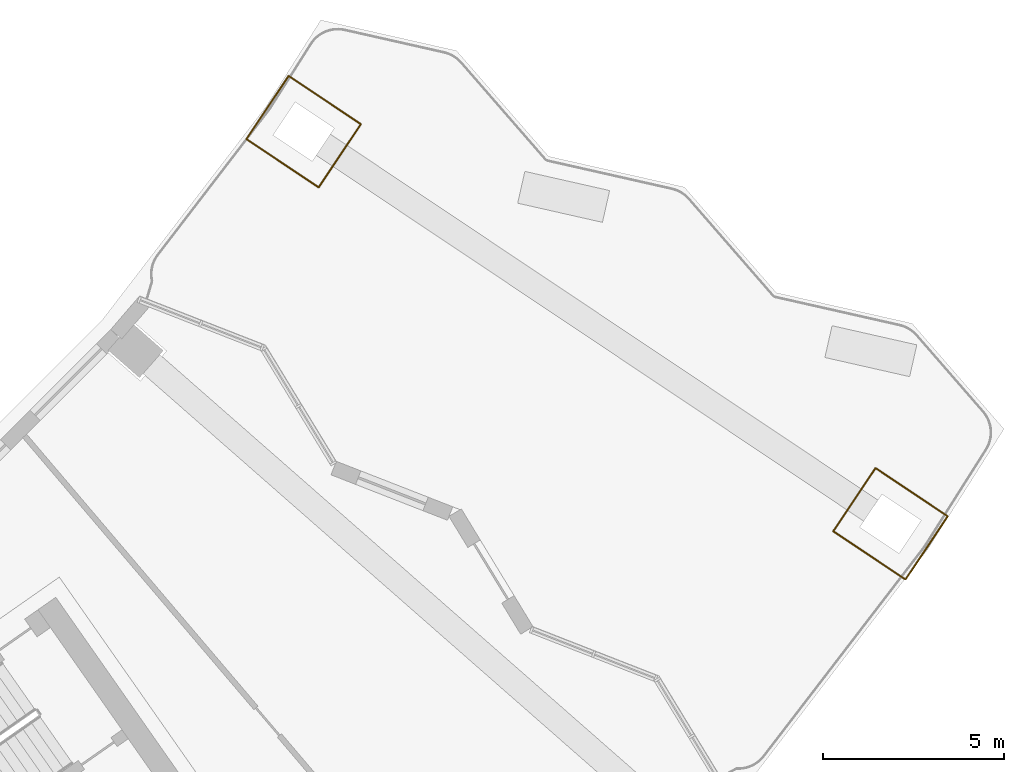
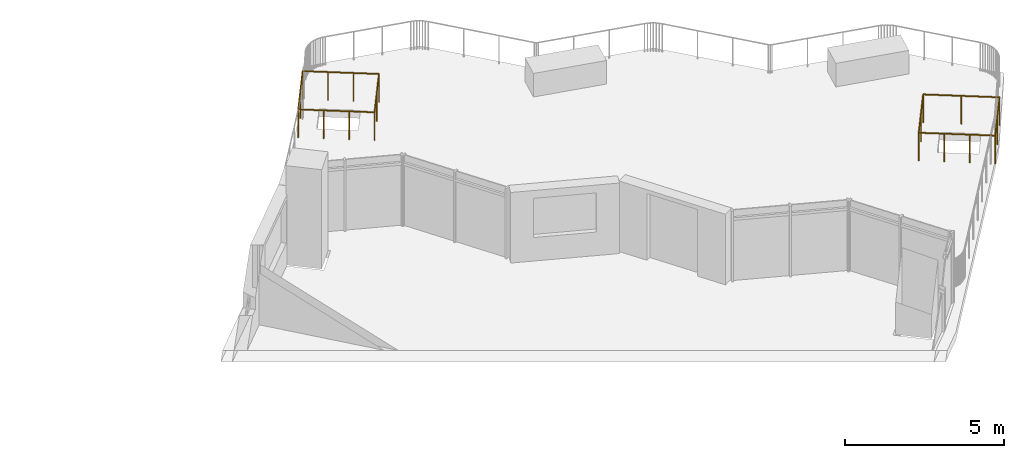
# One storey, part 29 of 30: 2 railings.
"""IFC4 building model written with IfcOpenShell, lengths in metres."""

from ifc_helpers import new_model, si_unit, direction, frame, origin, origin_2d, place, context, subcontext, project, spatial, circle, extrude, material, type_object, element, save


model = new_model("IFC4")

# Units and contexts
model_context = context("Model", 3, precision=1e-05, world=origin(), true_north=direction((0.0, 1.0)))
body_context = subcontext(model_context, "Body", "Model", "MODEL_VIEW")
ifc_project = project(units=[si_unit("LENGTHUNIT", "METRE"), si_unit("AREAUNIT", "SQUARE_METRE"), si_unit("VOLUMEUNIT", "CUBIC_METRE"), si_unit("PLANEANGLEUNIT", "RADIAN"), si_unit("MASSUNIT", "GRAM", prefix="KILO")], contexts=[model_context])

# Site, building, storey
site_placement = place(None, origin())
site = spatial("IfcSite", under=ifc_project, at=site_placement, CompositionType="ELEMENT")
building_placement = place(site_placement, origin())
building = spatial("IfcBuilding", under=site, at=building_placement, Name="Qamariyya Broadcast Tower", CompositionType="ELEMENT")
storey_placement = place(building_placement, frame((0.0, 0.0, 203.699951171875)))
storey = spatial("IfcBuildingStorey", under=building, at=storey_placement, Name="L48", CompositionType="ELEMENT", Elevation=203.699951171875)

# Railings
ifc_material = material(Name="Stainless steel 316 with toughened glass infill", Category="steel")
railing_type = type_object("IfcRailingType", Name="Terrace guard, glass and stainless steel", PredefinedType="GUARDRAIL", material=ifc_material)
railing_1_placement = place(storey_placement, frame((50.01416015625, -32.15576171875, 0.0)))
element("IfcRailing", 1, at=railing_1_placement, inside=storey, type_object=railing_type, Name="e-r-L48-t3-pyl4", PredefinedType="GUARDRAIL", context=body_context, shape_type="SweptSolid", body=[
    extrude(circle(Radius=0.02392578125, at=origin_2d()), frame((0.0, 0.0, 1.076171875), z_axis=(-0.555638920737, -0.831423712533, 0.0), x_axis=(0.831423712533, -0.555638920737, 0.0)), (0.0, 0.0, 1.0), 2.099853515625),
    extrude(circle(Radius=0.02392578125, at=origin_2d()), frame((-1.166748046875, -1.745849609375, 1.076171875), z_axis=(-0.831502137361, 0.555521552744, 0.0), x_axis=(-0.555521552744, -0.831502137361, 0.0)), (0.0, 0.0, 1.0), 2.39990234375),
    extrude(circle(Radius=0.02392578125, at=origin_2d()), frame((-3.162353515625, -0.41259765625, 1.076171875), z_axis=(0.555585212848, 0.831459602906, 0.0), x_axis=(-0.831459602906, 0.555585212848, 0.0)), (0.0, 0.0, 1.0), 2.10009765625),
    extrude(circle(Radius=0.02392578125, at=origin_2d()), frame((-1.99560546875, 1.33349609375, 1.076171875), z_axis=(0.831455148387, -0.555591879189, 0.0), x_axis=(0.555591879189, 0.831455148387, 0.0)), (0.0, 0.0, 1.0), 2.400146484375),
    extrude(circle(Radius=0.02099609375, at=origin_2d()), origin(), (0.0, 0.0, 1.0), 1.052001953125),
    extrude(circle(Radius=0.02099609375, at=origin_2d()), frame((-0.58349609375, -0.873046875, 0.0)), (0.0, 0.0, 1.0), 1.052001953125),
    extrude(circle(Radius=0.02099609375, at=origin_2d()), frame((-1.166748046875, -1.745849609375, 0.0)), (0.0, 0.0, 1.0), 1.052001953125),
    extrude(circle(Radius=0.02099609375, at=origin_2d()), frame((-1.83203125, -1.301513671875, 0.0)), (0.0, 0.0, 1.0), 1.052001953125),
    extrude(circle(Radius=0.02099609375, at=origin_2d()), frame((-2.4970703125, -0.85693359375, 0.0)), (0.0, 0.0, 1.0), 1.052001953125),
    extrude(circle(Radius=0.02099609375, at=origin_2d()), frame((-3.162353515625, -0.41259765625, 0.0)), (0.0, 0.0, 1.0), 1.052001953125),
    extrude(circle(Radius=0.02099609375, at=origin_2d()), frame((-2.5791015625, 0.46044921875, 0.0)), (0.0, 0.0, 1.0), 1.052001953125),
    extrude(circle(Radius=0.02099609375, at=origin_2d()), frame((-1.99560546875, 1.33349609375, 0.0)), (0.0, 0.0, 1.0), 1.052001953125),
    extrude(circle(Radius=0.02099609375, at=origin_2d()), frame((-1.330322265625, 0.888916015625, 0.0)), (0.0, 0.0, 1.0), 1.052001953125),
    extrude(circle(Radius=0.02099609375, at=origin_2d()), frame((-0.665283203125, 0.444580078125, 0.0)), (0.0, 0.0, 1.0), 1.052001953125),
])
railing_2_placement = place(storey_placement, frame((66.22802734375, -42.98974609375, 0.0)))
element("IfcRailing", 2, at=railing_2_placement, inside=storey, type_object=railing_type, Name="e-r-L48-t3-pyl5", PredefinedType="GUARDRAIL", context=body_context, shape_type="SweptSolid", body=[
    extrude(circle(Radius=0.02392578125, at=origin_2d()), frame((0.0, 0.0, 1.076171875), z_axis=(-0.555504834693, -0.831513306347, 0.0), x_axis=(0.831513306347, -0.555504834693, 0.0)), (0.0, 0.0, 1.0), 2.099853515625),
    extrude(circle(Radius=0.02392578125, at=origin_2d()), frame((-1.16650390625, -1.74609375, 1.076171875), z_axis=(-0.831455148387, 0.555591879189, 0.0), x_axis=(-0.555591879189, -0.831455148387, 0.0)), (0.0, 0.0, 1.0), 2.400146484375),
    extrude(circle(Radius=0.02392578125, at=origin_2d()), frame((-3.162109375, -0.41259765625, 1.076171875), z_axis=(0.555585212848, 0.831459602906, 0.0), x_axis=(-0.831459602906, 0.555585212848, 0.0)), (0.0, 0.0, 1.0), 2.10009765625),
    extrude(circle(Radius=0.02392578125, at=origin_2d()), frame((-1.995361328125, 1.33349609375, 1.076171875), z_axis=(0.831423745392, -0.555638871569, 0.0), x_axis=(0.555638871569, 0.831423745392, 0.0)), (0.0, 0.0, 1.0), 2.39990234375),
    extrude(circle(Radius=0.02099609375, at=origin_2d()), origin(), (0.0, 0.0, 1.0), 1.052001953125),
    extrude(circle(Radius=0.02099609375, at=origin_2d()), frame((-0.583251953125, -0.873046875, 0.0)), (0.0, 0.0, 1.0), 1.052001953125),
    extrude(circle(Radius=0.02099609375, at=origin_2d()), frame((-1.16650390625, -1.74609375, 0.0)), (0.0, 0.0, 1.0), 1.052001953125),
    extrude(circle(Radius=0.02099609375, at=origin_2d()), frame((-1.831787109375, -1.301513671875, 0.0)), (0.0, 0.0, 1.0), 1.052001953125),
    extrude(circle(Radius=0.02099609375, at=origin_2d()), frame((-2.496826171875, -0.857177734375, 0.0)), (0.0, 0.0, 1.0), 1.052001953125),
    extrude(circle(Radius=0.02099609375, at=origin_2d()), frame((-3.162109375, -0.41259765625, 0.0)), (0.0, 0.0, 1.0), 1.052001953125),
    extrude(circle(Radius=0.02099609375, at=origin_2d()), frame((-2.57861328125, 0.46044921875, 0.0)), (0.0, 0.0, 1.0), 1.052001953125),
    extrude(circle(Radius=0.02099609375, at=origin_2d()), frame((-1.995361328125, 1.33349609375, 0.0)), (0.0, 0.0, 1.0), 1.052001953125),
    extrude(circle(Radius=0.02099609375, at=origin_2d()), frame((-0.99755859375, 0.666748046875, 0.0)), (0.0, 0.0, 1.0), 1.052001953125),
])

save(model, "model.ifc")
